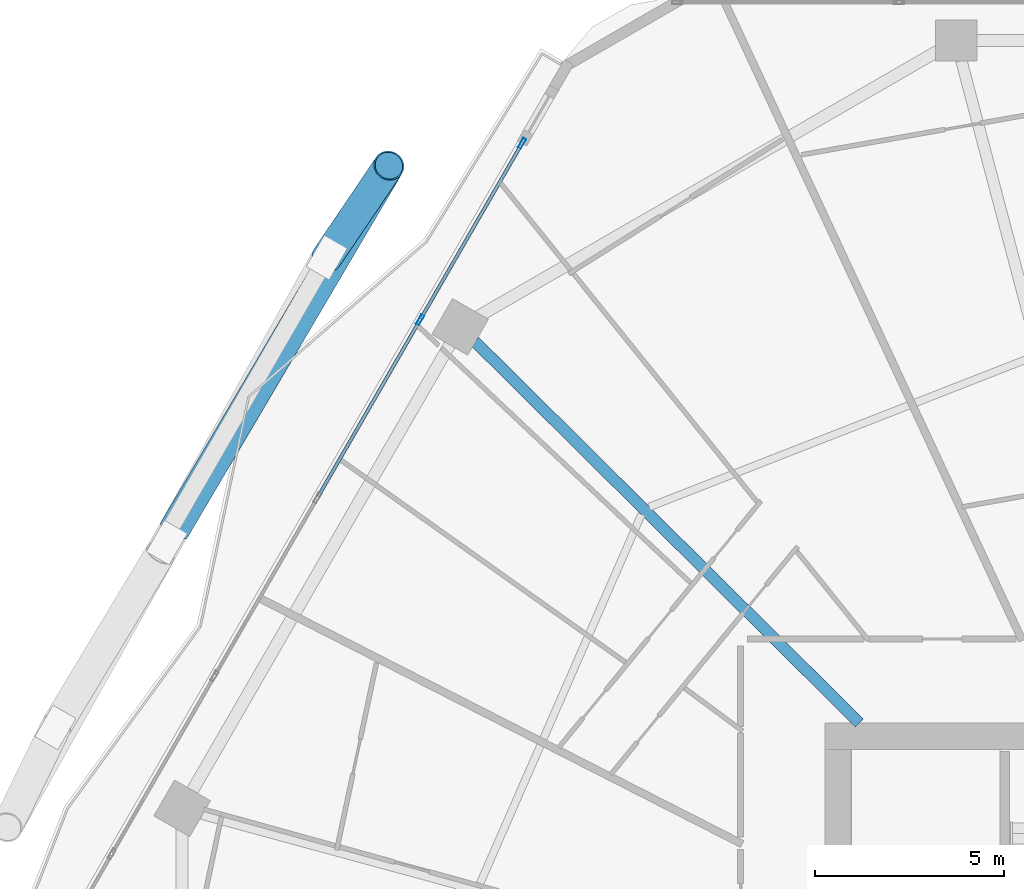
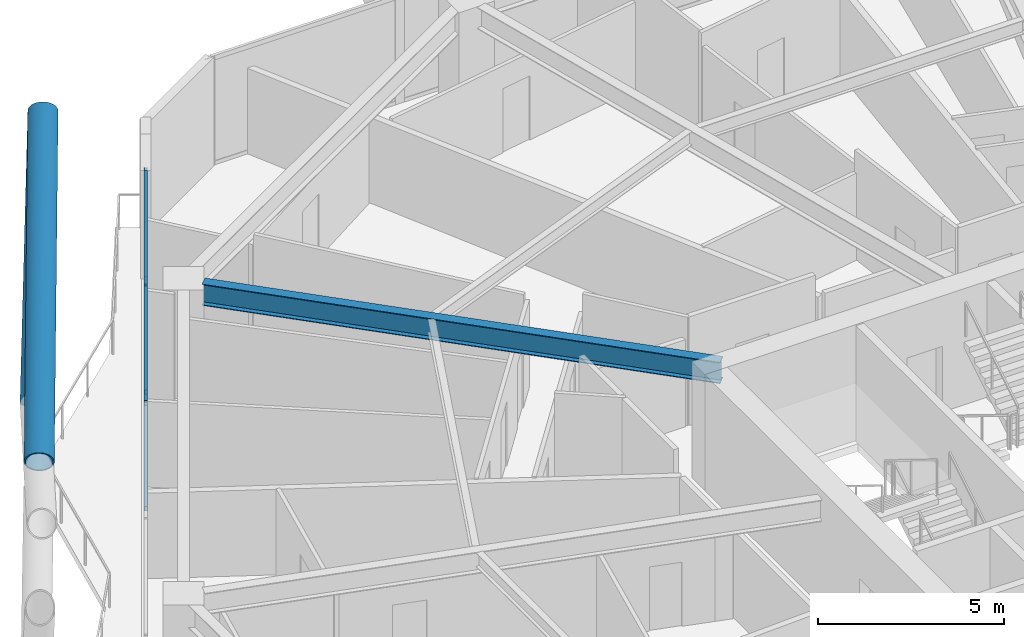
# One storey, part 16 of 34: 8 members, 1 beam, 1 element without a shape of its own.
"""IFC4 building model written with IfcOpenShell, lengths in metres."""

from ifc_helpers import new_model, si_unit, direction, frame, origin, origin_2d, place, context, subcontext, project, spatial, hollow_rectangle, hollow_circle, i_section, extrude, material, material_profile, profile_set, type_object, element, aggregate, save


model = new_model("IFC4")

# Units and contexts
model_context = context("Model", 3, precision=1e-05, world=origin(), true_north=direction((0.0, 1.0)))
body_context = subcontext(model_context, "Body", "Model", "MODEL_VIEW")
ifc_project = project(units=[si_unit("LENGTHUNIT", "METRE"), si_unit("AREAUNIT", "SQUARE_METRE"), si_unit("VOLUMEUNIT", "CUBIC_METRE"), si_unit("PLANEANGLEUNIT", "RADIAN"), si_unit("MASSUNIT", "GRAM", prefix="KILO")], contexts=[model_context])

# Site, building, storey
site_placement = place(None, origin())
site = spatial("IfcSite", under=ifc_project, at=site_placement, CompositionType="ELEMENT")
building_placement = place(site_placement, origin())
building = spatial("IfcBuilding", under=site, at=building_placement, Name="Zuhravey Tower", CompositionType="ELEMENT")
storey_placement = place(building_placement, frame((0.0, 0.0, 130.39990234375)))
storey = spatial("IfcBuildingStorey", under=building, at=storey_placement, Name="L32", CompositionType="ELEMENT", Elevation=130.39990234375)

# Curtain wall, members
ifc_material_1 = material(Name="Thermally broken anodised aluminium", Category="aluminium")
curtain_wall_type = type_object("IfcCurtainWallType", Name="Zone 1-2 Residential Curtain Wall CW3", PredefinedType="NOTDEFINED", material=ifc_material_1)
curtain_wall_placement = place(storey_placement, origin())
curtain_wall = element("IfcCurtainWall", 1, at=curtain_wall_placement, inside=storey, type_object=curtain_wall_type, Name="L32 CW3 CW-L32-F3-1", PredefinedType="NOTDEFINED")
ifc_material_2 = material(Name="Anodised aluminium", Category="aluminium")
ifc_material_profile_1 = material_profile(ifc_material_2, hollow_rectangle(XDim=0.090087890625, YDim=0.284912109375, WallThickness=0.0048828125, at=origin_2d()), Name="ALU-RHS-90x285x5")
ifc_profile_set_1 = profile_set([ifc_material_profile_1], Name="Anodised aluminium")
member_type_1 = type_object("IfcMemberType", Name="Curtain-Wall Mullion 90x180", PredefinedType="MULLION", material=ifc_profile_set_1)
member_1_placement = place(storey_placement, frame((14.421142578125, 52.541259765625, 0.0), z_axis=(0.0, 0.0, 1.0), x_axis=(-0.866025163156, 0.500000416781, 0.0)))
member_1 = element("IfcMember", 2, at=member_1_placement, type_object=member_type_1, Name="CW3 mullion 5", PredefinedType="MULLION", context=body_context, shape_type="SweptSolid", body=[
    extrude(hollow_rectangle(XDim=0.090087890625, YDim=0.284912109375, WallThickness=0.0048828125, at=origin_2d()), origin(), (0.0, 0.0, 1.0), 3.550048828125),
])
member_2_placement = place(storey_placement, frame((17.12353515625, 57.221923828125, 0.0), z_axis=(0.0, 0.0, 1.0), x_axis=(-0.866025163156, 0.500000416781, 0.0)))
member_2 = element("IfcMember", 3, at=member_2_placement, type_object=member_type_1, Name="CW3 mullion 6", PredefinedType="MULLION", context=body_context, shape_type="SweptSolid", body=[
    extrude(hollow_rectangle(XDim=0.090087890625, YDim=0.284912109375, WallThickness=0.0048828125, at=origin_2d()), origin(), (0.0, 0.0, 1.0), 3.550048828125),
])
ifc_material_profile_2 = material_profile(ifc_material_2, hollow_rectangle(XDim=0.090087890625, YDim=0.14990234375, WallThickness=0.0048828125, at=origin_2d()), Name="ALU-RHS-90x150x5")
ifc_profile_set_2 = profile_set([ifc_material_profile_2], Name="Anodised aluminium")
member_type_2 = type_object("IfcMemberType", Name="Curtain-Wall Transom 90x150", PredefinedType="USERDEFINED", material=ifc_profile_set_2)
member_3_placement = place(storey_placement, frame((11.71875, 47.8603515625, 0.045166015625), z_axis=(0.499994511252, 0.866028572691, 0.0), x_axis=(-0.866028572691, 0.499994511252, 0.0)))
member_3 = element("IfcMember", 4, at=member_3_placement, type_object=member_type_2, Name="CW3 transom 4.1", ObjectType="TRANSOM", PredefinedType="USERDEFINED", context=body_context, shape_type="SweptSolid", body=[
    extrude(hollow_rectangle(XDim=0.090087890625, YDim=0.14990234375, WallThickness=0.0048828125, at=origin_2d()), origin(), (0.0, 0.0, 1.0), 5.35986328125),
])
member_4_placement = place(storey_placement, frame((11.71875, 47.8603515625, 3.505126953125), z_axis=(0.499994511252, 0.866028572691, 0.0), x_axis=(-0.866028572691, 0.499994511252, 0.0)))
member_4 = element("IfcMember", 5, at=member_4_placement, type_object=member_type_2, Name="CW3 transom 4.2", ObjectType="TRANSOM", PredefinedType="USERDEFINED", context=body_context, shape_type="SweptSolid", body=[
    extrude(hollow_rectangle(XDim=0.090087890625, YDim=0.14990234375, WallThickness=0.0048828125, at=origin_2d()), origin(), (0.0, 0.0, 1.0), 5.35986328125),
])
member_5_placement = place(storey_placement, frame((14.443603515625, 52.580078125, 0.045166015625), z_axis=(0.500007419992, 0.866021119808, 0.0), x_axis=(-0.866021119808, 0.500007419992, 0.0)))
member_5 = element("IfcMember", 6, at=member_5_placement, type_object=member_type_2, Name="CW3 transom 5.1", ObjectType="TRANSOM", PredefinedType="USERDEFINED", context=body_context, shape_type="SweptSolid", body=[
    extrude(hollow_rectangle(XDim=0.090087890625, YDim=0.14990234375, WallThickness=0.0048828125, at=origin_2d()), origin(), (0.0, 0.0, 1.0), 5.31494140625),
])
member_6_placement = place(storey_placement, frame((14.443603515625, 52.580078125, 3.505126953125), z_axis=(0.500007419992, 0.866021119808, 0.0), x_axis=(-0.866021119808, 0.500007419992, 0.0)))
member_6 = element("IfcMember", 7, at=member_6_placement, type_object=member_type_2, Name="CW3 transom 5.2", ObjectType="TRANSOM", PredefinedType="USERDEFINED", context=body_context, shape_type="SweptSolid", body=[
    extrude(hollow_rectangle(XDim=0.090087890625, YDim=0.14990234375, WallThickness=0.0048828125, at=origin_2d()), origin(), (0.0, 0.0, 1.0), 5.31494140625),
])
aggregate(curtain_wall, [member_1, member_2, member_3, member_4, member_5, member_6])

# Members
ifc_material_3 = material(Name="Steel SM460", Category="steel")
ifc_material_profile_3 = material_profile(ifc_material_3, hollow_circle(Radius=0.406494140625, WallThickness=0.035888671875, at=origin_2d()), Name="CHS-812.8x36")
ifc_profile_set_3 = profile_set([ifc_material_profile_3], Name="Steel SM460")
member_type_3 = type_object("IfcMemberType", Name="Exoskeleton Zone 1 Diagrid CHS813x36", PredefinedType="BRACE", material=ifc_profile_set_3)
member_7_placement = place(storey_placement, frame((11.95068359375, 54.201416015625, -0.44189453125), z_axis=(0.202834107885, 0.299733027557, 0.932211583746), x_axis=(-0.82818911071, 0.560448746008, 0.0)))
element("IfcMember", 8, at=member_7_placement, inside=storey, type_object=member_type_3, Name="L32 Face 3 Diagrid Brace 1", PredefinedType="BRACE", context=body_context, shape_type="SweptSolid", body=[
    extrude(hollow_circle(Radius=0.406494140625, WallThickness=0.035888671875, at=origin_2d()), origin(), (0.0, 0.0, 1.0), 8.10546875),
])
member_8_placement = place(storey_placement, frame((7.895751953125, 46.9619140625, 3.45947265625), z_axis=(0.482602799268, 0.818727119254, 0.311095551778), x_axis=(-0.861474664484, 0.507800553813, 0.0)))
element("IfcMember", 9, at=member_8_placement, inside=storey, type_object=member_type_3, Name="L32 Face 3 Split Diagrid Brace 3B", PredefinedType="BRACE", context=body_context, shape_type="SweptSolid", body=[
    extrude(hollow_circle(Radius=0.406494140625, WallThickness=0.035888671875, at=origin_2d()), origin(), (0.0, 0.0, 1.0), 11.763916015625),
])

# Beam
ifc_material_4 = material(Name="Steel SM355", Category="steel")
ifc_material_profile_4 = material_profile(ifc_material_4, i_section(OverallWidth=0.300048828125, OverallDepth=0.699951171875, WebThickness=0.012939453125, FlangeThickness=0.02392578125, at=origin_2d()), Name="H-700x300x13x24")
ifc_profile_set_4 = profile_set([ifc_material_profile_4], Name="Steel SM355")
beam_type = type_object("IfcBeamType", Name="Radial Primary Girder H700x300", PredefinedType="BEAM", material=ifc_profile_set_4)
beam_placement = place(storey_placement, frame((26.068603515625, 41.85302734375, 3.2001953125), z_axis=(-0.709906230344, 0.704296204816, 0.0), x_axis=(-0.704296204816, -0.709906230344, 0.0)))
element("IfcBeam", 10, at=beam_placement, inside=storey, type_object=beam_type, Name="L32 RG1 BM-L32-RAD-05", PredefinedType="BEAM", context=body_context, shape_type="SweptSolid", body=[
    extrude(i_section(OverallWidth=0.300048828125, OverallDepth=0.699951171875, WebThickness=0.012939453125, FlangeThickness=0.02392578125, at=origin_2d()), origin(), (0.0, 0.0, 1.0), 14.361083984375),
])

save(model, "model.ifc")
